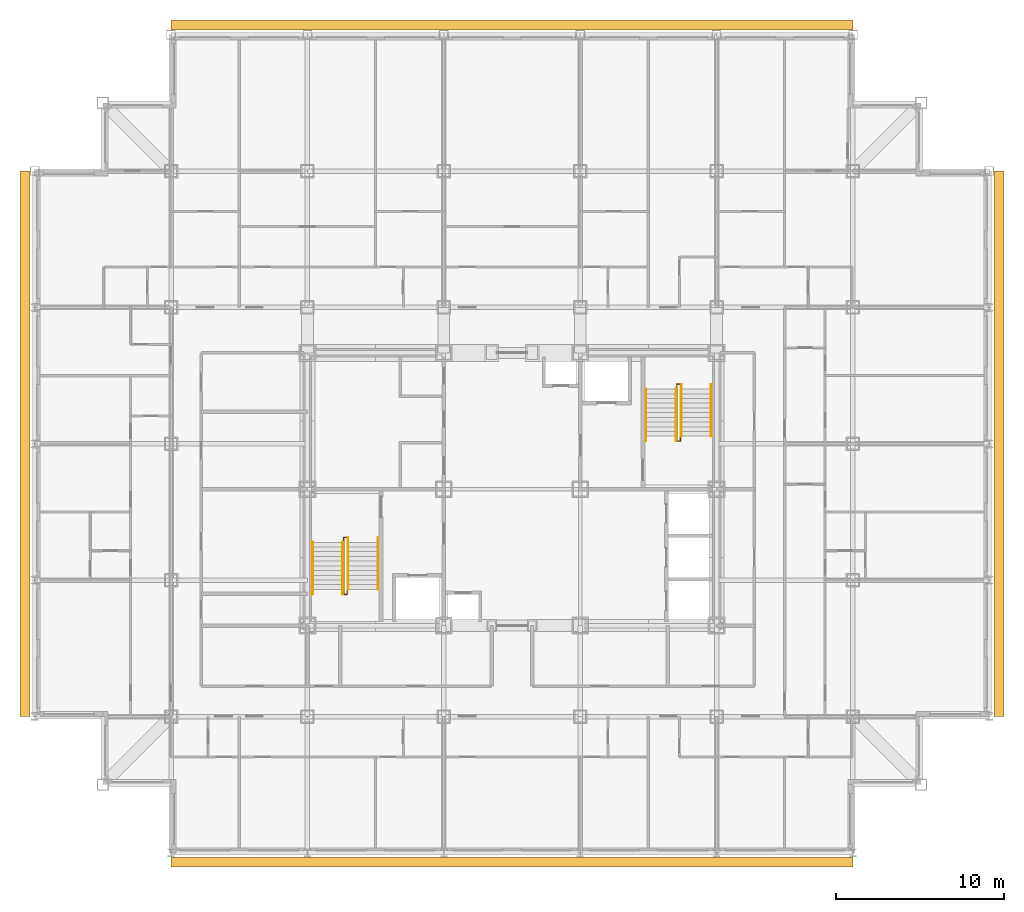
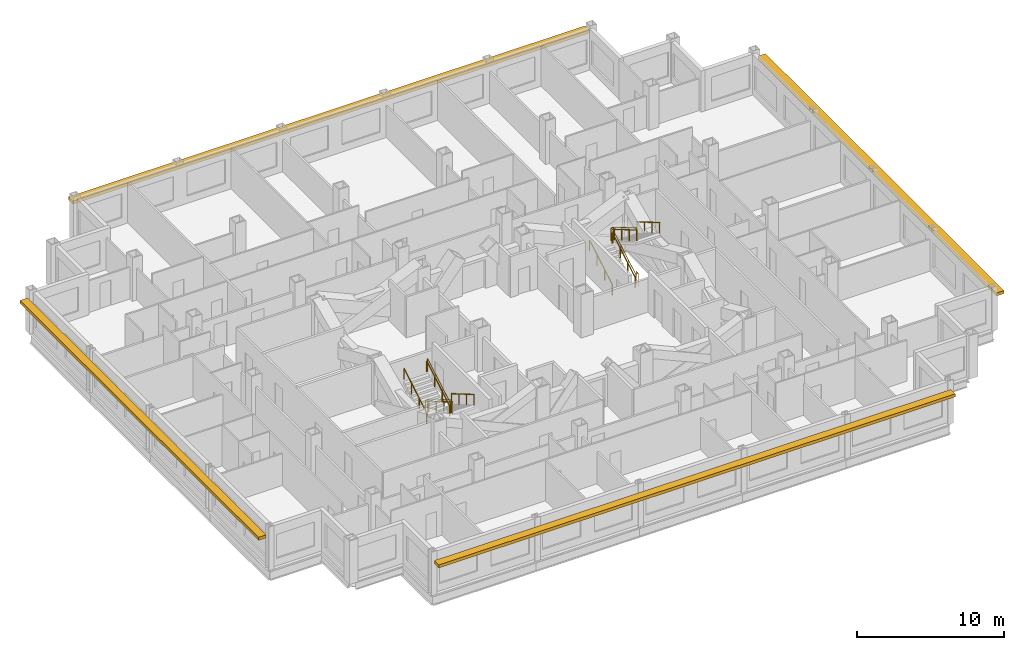
# One storey, part 12 of 12: 10 railings, 4 shading devices.
"""IFC4 building model written with IfcOpenShell, lengths in metres."""

from ifc_helpers import new_model, si_unit, direction, frame, origin, origin_2d, place, context, subcontext, project, spatial, rectangle, circle, extrude, material, type_object, element, save


model = new_model("IFC4")

# Units and contexts
model_context = context("Model", 3, precision=1e-05, world=origin(), true_north=direction((0.0, 1.0)))
body_context = subcontext(model_context, "Body", "Model", "MODEL_VIEW")
ifc_project = project(units=[si_unit("LENGTHUNIT", "METRE"), si_unit("AREAUNIT", "SQUARE_METRE"), si_unit("VOLUMEUNIT", "CUBIC_METRE"), si_unit("PLANEANGLEUNIT", "RADIAN"), si_unit("MASSUNIT", "GRAM", prefix="KILO")], contexts=[model_context])

# Site, building, storey
site_placement = place(None, origin())
site = spatial("IfcSite", under=ifc_project, at=site_placement, CompositionType="ELEMENT")
building_placement = place(site_placement, origin())
building = spatial("IfcBuilding", under=site, at=building_placement, Name="Kopane Lantern Tower", CompositionType="ELEMENT")
storey_placement = place(building_placement, frame((0.0, 0.0, 228.0)))
storey = spatial("IfcBuildingStorey", under=building, at=storey_placement, Name="L59", CompositionType="ELEMENT", Elevation=228.0)

# Railings
ifc_material_1 = material(Name="Steel", Category="steel")
railing_type_1 = type_object("IfcRailingType", Name="STAIR GUARD 1100", PredefinedType="GUARDRAIL", material=ifc_material_1)
railing_1_placement = place(storey_placement, frame((18.35009765625, 29.25, 0.0)))
element("IfcRailing", 1, at=railing_1_placement, inside=storey, type_object=railing_type_1, Name="ST1 well guard L59", PredefinedType="GUARDRAIL", context=body_context, shape_type="SweptSolid", body=[
    extrude(circle(Radius=0.02392578125, at=origin_2d()), frame((0.0, 0.0, 1.076171875), z_axis=(0.0, 1.0, 0.0), x_axis=(-1.0, 0.0, 0.0)), (0.0, 0.0, 1.0), 0.280029296875),
    extrude(circle(Radius=0.02392578125, at=origin_2d()), frame((0.0, 0.280029296875, 1.076171875), z_axis=(1.0, 0.0, 0.0), x_axis=(0.0, 1.0, 0.0)), (0.0, 0.0, 1.0), 0.199951171875),
    extrude(circle(Radius=0.02392578125, at=origin_2d()), frame((0.199951171875, 0.280029296875, 1.076171875), z_axis=(0.0, -0.863371556955, 0.504568681787), x_axis=(1.0, 0.0, 0.0)), (0.0, 0.0, 1.0), 3.5673828125),
    extrude(circle(Radius=0.02392578125, at=origin_2d()), frame((0.199951171875, -2.800048828125, 2.8759765625), z_axis=(0.0, -1.0, 0.0), x_axis=(1.0, 0.0, 0.0)), (0.0, 0.0, 1.0), 0.280029296875),
    extrude(circle(Radius=0.02392578125, at=origin_2d()), frame((0.199951171875, -3.080078125, 2.8759765625), z_axis=(-1.0, 0.0, 0.0), x_axis=(0.0, -1.0, 0.0)), (0.0, 0.0, 1.0), 0.199951171875),
    extrude(circle(Radius=0.02392578125, at=origin_2d()), frame((0.0, -3.080078125, 2.8759765625), z_axis=(0.0, 0.863371556955, 0.504568681787), x_axis=(-1.0, 0.0, 0.0)), (0.0, 0.0, 1.0), 3.5673828125),
    extrude(circle(Radius=0.02099609375, at=origin_2d()), origin(), (0.0, 0.0, 1.0), 1.052001953125),
    extrude(circle(Radius=0.02099609375, at=origin_2d()), frame((0.0, 0.280029296875, 0.0)), (0.0, 0.0, 1.0), 1.052001953125),
    extrude(circle(Radius=0.02099609375, at=origin_2d()), frame((0.199951171875, 0.280029296875, 0.0)), (0.0, 0.0, 1.0), 1.052001953125),
    extrude(circle(Radius=0.02099609375, at=origin_2d()), frame((0.199951171875, -0.74658203125, 0.60009765625)), (0.0, 0.0, 1.0), 1.052001953125),
    extrude(circle(Radius=0.02099609375, at=origin_2d()), frame((0.199951171875, -1.7734375, 1.199951171875)), (0.0, 0.0, 1.0), 1.052001953125),
    extrude(circle(Radius=0.02099609375, at=origin_2d()), frame((0.199951171875, -2.800048828125, 1.800048828125)), (0.0, 0.0, 1.0), 1.052001953125),
    extrude(circle(Radius=0.02099609375, at=origin_2d()), frame((0.199951171875, -3.080078125, 1.800048828125)), (0.0, 0.0, 1.0), 1.052001953125),
    extrude(circle(Radius=0.02099609375, at=origin_2d()), frame((0.0, -3.080078125, 1.800048828125)), (0.0, 0.0, 1.0), 1.052001953125),
    extrude(circle(Radius=0.02099609375, at=origin_2d()), frame((0.0, -2.053466796875, 2.400146484375)), (0.0, 0.0, 1.0), 1.052001953125),
    extrude(circle(Radius=0.02099609375, at=origin_2d()), frame((0.0, -1.026611328125, 3.0)), (0.0, 0.0, 1.0), 1.052001953125),
    extrude(circle(Radius=0.02099609375, at=origin_2d()), frame((0.0, 0.0, 3.60009765625)), (0.0, 0.0, 1.0), 1.052001953125),
])
railing_2_placement = place(storey_placement, frame((38.35009765625, 35.550048828125, 0.0)))
element("IfcRailing", 2, at=railing_2_placement, inside=storey, type_object=railing_type_1, Name="ST2 well guard L59", PredefinedType="GUARDRAIL", context=body_context, shape_type="SweptSolid", body=[
    extrude(circle(Radius=0.02392578125, at=origin_2d()), frame((0.0, 0.0, 1.076171875), z_axis=(0.0, -1.0, 0.0), x_axis=(1.0, 0.0, 0.0)), (0.0, 0.0, 1.0), 0.280029296875),
    extrude(circle(Radius=0.02392578125, at=origin_2d()), frame((0.0, -0.280029296875, 1.076171875), z_axis=(-1.0, 0.0, 0.0), x_axis=(0.0, -1.0, 0.0)), (0.0, 0.0, 1.0), 0.2001953125),
    extrude(circle(Radius=0.02392578125, at=origin_2d()), frame((-0.2001953125, -0.280029296875, 1.076171875), z_axis=(0.0, 0.863371556955, 0.504568681787), x_axis=(-1.0, 0.0, 0.0)), (0.0, 0.0, 1.0), 3.5673828125),
    extrude(circle(Radius=0.02392578125, at=origin_2d()), frame((-0.2001953125, 2.800048828125, 2.8759765625), z_axis=(0.0, 1.0, 0.0), x_axis=(-1.0, 0.0, 0.0)), (0.0, 0.0, 1.0), 0.27978515625),
    extrude(circle(Radius=0.02392578125, at=origin_2d()), frame((-0.2001953125, 3.079833984375, 2.8759765625), z_axis=(1.0, 0.0, 0.0), x_axis=(0.0, 1.0, 0.0)), (0.0, 0.0, 1.0), 0.2001953125),
    extrude(circle(Radius=0.02392578125, at=origin_2d()), frame((0.0, 3.079833984375, 2.8759765625), z_axis=(0.0, -0.863354132664, 0.504598495452), x_axis=(1.0, 0.0, 0.0)), (0.0, 0.0, 1.0), 3.5673828125),
    extrude(circle(Radius=0.02099609375, at=origin_2d()), origin(), (0.0, 0.0, 1.0), 1.052001953125),
    extrude(circle(Radius=0.02099609375, at=origin_2d()), frame((0.0, -0.280029296875, 0.0)), (0.0, 0.0, 1.0), 1.052001953125),
    extrude(circle(Radius=0.02099609375, at=origin_2d()), frame((-0.2001953125, -0.280029296875, 0.0)), (0.0, 0.0, 1.0), 1.052001953125),
    extrude(circle(Radius=0.02099609375, at=origin_2d()), frame((-0.2001953125, 0.74658203125, 0.60009765625)), (0.0, 0.0, 1.0), 1.052001953125),
    extrude(circle(Radius=0.02099609375, at=origin_2d()), frame((-0.2001953125, 1.7734375, 1.199951171875)), (0.0, 0.0, 1.0), 1.052001953125),
    extrude(circle(Radius=0.02099609375, at=origin_2d()), frame((-0.2001953125, 2.800048828125, 1.800048828125)), (0.0, 0.0, 1.0), 1.052001953125),
    extrude(circle(Radius=0.02099609375, at=origin_2d()), frame((-0.2001953125, 3.079833984375, 1.800048828125)), (0.0, 0.0, 1.0), 1.052001953125),
    extrude(circle(Radius=0.02099609375, at=origin_2d()), frame((0.0, 3.079833984375, 1.800048828125)), (0.0, 0.0, 1.0), 1.052001953125),
    extrude(circle(Radius=0.02099609375, at=origin_2d()), frame((0.0, 2.05322265625, 2.400146484375)), (0.0, 0.0, 1.0), 1.052001953125),
    extrude(circle(Radius=0.02099609375, at=origin_2d()), frame((0.0, 1.026611328125, 3.0)), (0.0, 0.0, 1.0), 1.052001953125),
    extrude(circle(Radius=0.02099609375, at=origin_2d()), frame((0.0, 0.0, 3.60009765625)), (0.0, 0.0, 1.0), 1.052001953125),
])
ifc_material_2 = material(Name="Steel", Category="steel")
railing_type_2 = type_object("IfcRailingType", Name="STAIR HANDRAIL 900", PredefinedType="HANDRAIL", material=ifc_material_2)
for number, where, name in (
    (3, (20.389892578125, 29.530029296875, 0.0), "ST1 handrail L59 flight 1"),
    (4, (18.610107421875, 29.530029296875, 0.0), "ST1 handrail L59 flight 1"),
):
    element("IfcRailing", number, at=place(storey_placement, frame(where)), inside=storey, type_object=railing_type_2, Name=name, PredefinedType="HANDRAIL", context=body_context, shape_type="SweptSolid", body=[
        extrude(circle(Radius=0.02392578125, at=origin_2d()), frame((0.0, 0.0, 0.8759765625), z_axis=(0.0, -0.863371556955, 0.504568681787), x_axis=(1.0, 0.0, 0.0)), (0.0, 0.0, 1.0), 3.5673828125),
        extrude(circle(Radius=0.02099609375, at=origin_2d()), origin(), (0.0, 0.0, 1.0), 0.851806640625),
        extrude(circle(Radius=0.02099609375, at=origin_2d()), frame((0.0, -1.026611328125, 0.60009765625)), (0.0, 0.0, 1.0), 0.851806640625),
        extrude(circle(Radius=0.02099609375, at=origin_2d()), frame((0.0, -2.053466796875, 1.199951171875)), (0.0, 0.0, 1.0), 0.851806640625),
        extrude(circle(Radius=0.02099609375, at=origin_2d()), frame((0.0, -3.080078125, 1.800048828125)), (0.0, 0.0, 1.0), 0.851806640625),
    ])
for number, where, name in (
    (5, (16.510009765625, 26.169921875, 1.800048828125), "ST1 handrail L59 flight 2"),
    (6, (18.2900390625, 26.169921875, 1.800048828125), "ST1 handrail L59 flight 2"),
    (7, (36.31005859375, 35.27001953125, 0.0), "ST2 handrail L59 flight 1"),
    (8, (38.090087890625, 35.27001953125, 0.0), "ST2 handrail L59 flight 1"),
):
    element("IfcRailing", number, at=place(storey_placement, frame(where)), inside=storey, type_object=railing_type_2, Name=name, PredefinedType="HANDRAIL", context=body_context, shape_type="SweptSolid", body=[
        extrude(circle(Radius=0.02392578125, at=origin_2d()), frame((0.0, 0.0, 0.8759765625), z_axis=(0.0, 0.863371556955, 0.504568681787), x_axis=(-1.0, 0.0, 0.0)), (0.0, 0.0, 1.0), 3.5673828125),
        extrude(circle(Radius=0.02099609375, at=origin_2d()), origin(), (0.0, 0.0, 1.0), 0.851806640625),
        extrude(circle(Radius=0.02099609375, at=origin_2d()), frame((0.0, 1.026611328125, 0.60009765625)), (0.0, 0.0, 1.0), 0.851806640625),
        extrude(circle(Radius=0.02099609375, at=origin_2d()), frame((0.0, 2.053466796875, 1.199951171875)), (0.0, 0.0, 1.0), 0.851806640625),
        extrude(circle(Radius=0.02099609375, at=origin_2d()), frame((0.0, 3.080078125, 1.800048828125)), (0.0, 0.0, 1.0), 0.851806640625),
    ])
for number, where, name in (
    (9, (40.18994140625, 38.6298828125, 1.800048828125), "ST2 handrail L59 flight 2"),
    (10, (38.409912109375, 38.6298828125, 1.800048828125), "ST2 handrail L59 flight 2"),
):
    element("IfcRailing", number, at=place(storey_placement, frame(where)), inside=storey, type_object=railing_type_2, Name=name, PredefinedType="HANDRAIL", context=body_context, shape_type="SweptSolid", body=[
        extrude(circle(Radius=0.02392578125, at=origin_2d()), frame((0.0, 0.0, 0.8759765625), z_axis=(0.0, -0.863354132664, 0.504598495452), x_axis=(1.0, 0.0, 0.0)), (0.0, 0.0, 1.0), 3.5673828125),
        extrude(circle(Radius=0.02099609375, at=origin_2d()), origin(), (0.0, 0.0, 1.0), 0.851806640625),
        extrude(circle(Radius=0.02099609375, at=origin_2d()), frame((0.0, -1.026611328125, 0.60009765625)), (0.0, 0.0, 1.0), 0.851806640625),
        extrude(circle(Radius=0.02099609375, at=origin_2d()), frame((0.0, -2.05322265625, 1.199951171875)), (0.0, 0.0, 1.0), 0.851806640625),
        extrude(circle(Radius=0.02099609375, at=origin_2d()), frame((0.0, -3.079833984375, 1.800048828125)), (0.0, 0.0, 1.0), 0.851806640625),
    ])

# Shading devices
ifc_material_3 = material(Name="Terracotta rainscreen on light steel framing", Category="masonry")
shading_device_type = type_object("IfcShadingDeviceType", Name="SUNSHADE BAND SB1 600 TERRACOTTA", PredefinedType="USERDEFINED", material=ifc_material_3)
shading_device_1_placement = place(storey_placement, frame((28.35009765625, 10.2626953125, 2.60009765625), z_axis=(0.0, 0.0, 1.0), x_axis=(1.0, 0.0, 0.0)))
element("IfcShadingDevice", 11, at=shading_device_1_placement, inside=storey, type_object=shading_device_type, Name="Sunshade band S L59", ObjectType="SUNSHADE BAND", PredefinedType="USERDEFINED", context=body_context, shape_type="SweptSolid", body=[
    extrude(rectangle(XDim=40.5, YDim=0.60009765625, at=origin_2d()), origin(), (0.0, 0.0, 1.0), 0.25),
])
shading_device_2_placement = place(storey_placement, frame((57.27490234375, 35.10009765625, 2.60009765625), z_axis=(0.0, 0.0, 1.0), x_axis=(0.0, 1.0, 0.0)))
element("IfcShadingDevice", 12, at=shading_device_2_placement, inside=storey, type_object=shading_device_type, Name="Sunshade band E L59", ObjectType="SUNSHADE BAND", PredefinedType="USERDEFINED", context=body_context, shape_type="SweptSolid", body=[
    extrude(rectangle(XDim=32.39990234375, YDim=0.60009765625, at=origin_2d()), origin(), (0.0, 0.0, 1.0), 0.25),
])
shading_device_3_placement = place(storey_placement, frame((28.35009765625, 59.97509765625, 2.60009765625), z_axis=(0.0, 0.0, 1.0), x_axis=(-1.0, 0.0, 0.0)))
element("IfcShadingDevice", 13, at=shading_device_3_placement, inside=storey, type_object=shading_device_type, Name="Sunshade band N L59", ObjectType="SUNSHADE BAND", PredefinedType="USERDEFINED", context=body_context, shape_type="SweptSolid", body=[
    extrude(rectangle(XDim=40.5, YDim=0.60009765625, at=origin_2d()), origin(), (0.0, 0.0, 1.0), 0.25),
])
shading_device_4_placement = place(storey_placement, frame((-0.574951171875, 35.10009765625, 2.60009765625), z_axis=(0.0, 0.0, 1.0), x_axis=(0.0, -1.0, 0.0)))
element("IfcShadingDevice", 14, at=shading_device_4_placement, inside=storey, type_object=shading_device_type, Name="Sunshade band W L59", ObjectType="SUNSHADE BAND", PredefinedType="USERDEFINED", context=body_context, shape_type="SweptSolid", body=[
    extrude(rectangle(XDim=32.39990234375, YDim=0.60009765625, at=origin_2d()), origin(), (0.0, 0.0, 1.0), 0.25),
])

save(model, "model.ifc")
